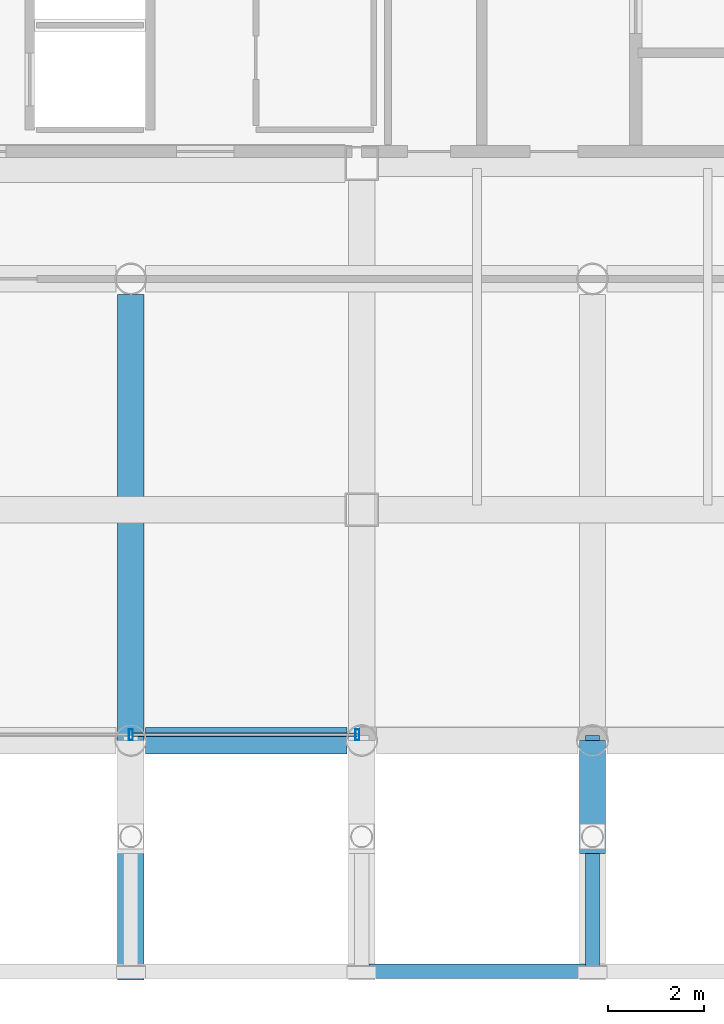
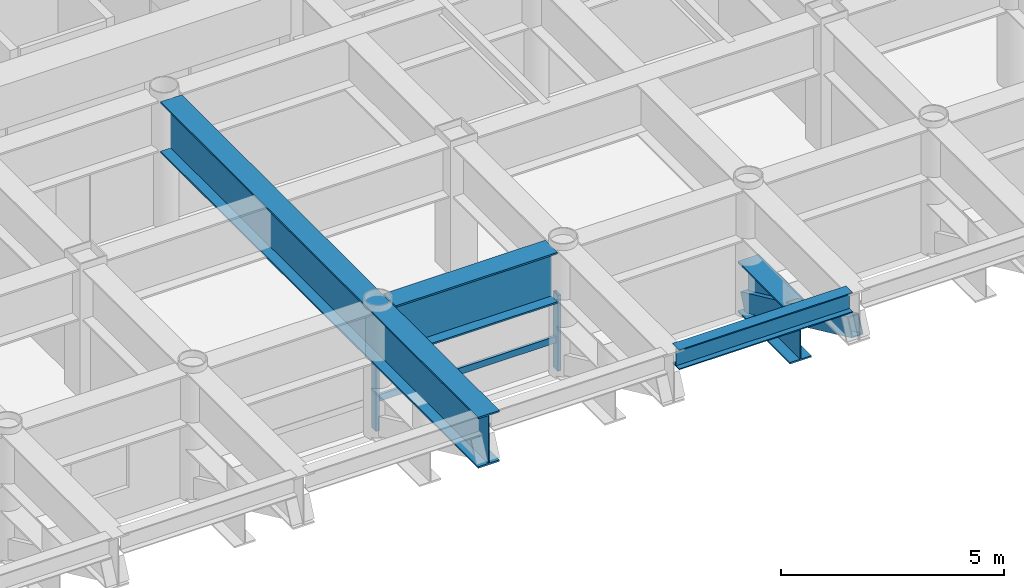
# One storey, part 8 of 24: 4 beams, 4 members, 1 element without a shape of its own.
"""IFC4 building model written with IfcOpenShell, lengths in metres."""

import ifcopenshell
import ifcopenshell.guid

model = None  # the IFC model being written
_history = None  # IfcOwnerHistory: only IFC2X3 demands one
_inside = {}  # id of a spatial element -> (the spatial element, [elements in it])
_under = {}  # id of a project, library or spatial element -> (it, [spatial elements below it])
_declared = {}  # id of a project -> (the project, [libraries it declares])
_typed = {}  # id of a type object -> (the type object, [elements of that type])
_made_of = {}  # id of a material, layer set ... -> (it, [elements and type objects made of it])


def new_model(schema):
    """Start an empty IFC model of exactly this schema.

    Asked for "IFC4X3", IfcOpenShell would pick the latest addendum, in which some entities
    have other attributes; the version numbers below select the first issue.
    IFC2X3 requires an IfcOwnerHistory on every rooted entity: one is made here for all.
    """
    global model, _history
    if schema == "IFC4X3":
        model = ifcopenshell.file(schema_version=(4, 3, 0, 0))
    else:
        model = ifcopenshell.file(schema=schema)
    _inside.clear()
    _under.clear()
    _declared.clear()
    _typed.clear()
    _made_of.clear()
    _history = None
    if model.schema == "IFC2X3":
        org = make("IfcOrganization", Name="unknown")
        user = make(
            "IfcPersonAndOrganization",
            ThePerson=make("IfcPerson", FamilyName="unknown"),
            TheOrganization=org,
        )
        app = make(
            "IfcApplication",
            ApplicationDeveloper=org,
            Version="unknown",
            ApplicationFullName="unknown",
            ApplicationIdentifier="unknown",
        )
        _history = make(
            "IfcOwnerHistory",
            OwningUser=user,
            OwningApplication=app,
            ChangeAction="ADDED",
            CreationDate=0,
        )
    return model


def make(cls, **values):
    """One entity of the class cls with the attributes given. An attribute that is None is left unset."""
    return model.create_entity(
        cls, **{name: value for name, value in values.items() if value is not None}
    )


def rooted(cls, **values):
    """An entity with a GlobalId (a new one), such as an element, a storey or a relation."""
    return make(cls, GlobalId=ifcopenshell.guid.new(), OwnerHistory=_history, **values)


def si_unit(unit_type, name, prefix=None):
    """IfcSIUnit, for example si_unit("LENGTHUNIT", "METRE", prefix="MILLI")."""
    return make("IfcSIUnit", UnitType=unit_type, Prefix=prefix, Name=name)


def assignment(units):
    """IfcUnitAssignment: the units of a project."""
    return None if units is None else make("IfcUnitAssignment", Units=units)


def point(xyz):
    """IfcCartesianPoint."""
    return None if xyz is None else make("IfcCartesianPoint", Coordinates=xyz)


def direction(xyz):
    """IfcDirection."""
    return None if xyz is None else make("IfcDirection", DirectionRatios=xyz)


def frame(location, z_axis=None, x_axis=None):
    """IfcAxis2Placement3D, a coordinate frame: its origin and axes. An axis left out is left unset."""
    return make(
        "IfcAxis2Placement3D",
        Location=point(location),
        Axis=direction(z_axis),
        RefDirection=direction(x_axis),
    )


def frame_2d(location, x_axis=None):
    """IfcAxis2Placement2D, a coordinate frame in the plane: its origin and x axis."""
    return make(
        "IfcAxis2Placement2D", Location=point(location), RefDirection=direction(x_axis)
    )


def origin():
    """The frame at (0, 0, 0) with its axes left unset."""
    return frame((0.0, 0.0, 0.0))


def origin_2d():
    """The frame at (0, 0) in the plane with its x axis left unset."""
    return frame_2d((0.0, 0.0))


def place(relative_to, where):
    """IfcLocalPlacement: puts the frame where relative to a parent placement (None: the world)."""
    return make(
        "IfcLocalPlacement", PlacementRelTo=relative_to, RelativePlacement=where
    )


def context(
    kind, dimensions, precision=None, world=None, true_north=None, identifier=None
):
    """IfcGeometricRepresentationContext, for example the 3D "Model" context."""
    return make(
        "IfcGeometricRepresentationContext",
        ContextIdentifier=identifier,
        ContextType=kind,
        CoordinateSpaceDimension=dimensions,
        Precision=precision,
        WorldCoordinateSystem=world,
        TrueNorth=true_north,
    )


def subcontext(parent, identifier, kind, view, scale=None):
    """IfcGeometricRepresentationSubContext, for example "Body" below "Model"."""
    return make(
        "IfcGeometricRepresentationSubContext",
        ContextIdentifier=identifier,
        ContextType=kind,
        ParentContext=parent,
        TargetScale=scale,
        TargetView=view,
    )


def project(units=None, contexts=None):
    """IfcProject with its units and contexts."""
    return rooted(
        "IfcProject",
        Name="project",
        RepresentationContexts=contexts,
        UnitsInContext=assignment(units),
    )


def spatial(cls, under=None, at=None, **own):
    """A site, building, storey or space (cls), placed at a placement, below another one or the project."""
    s = rooted(cls, ObjectPlacement=at, **own)
    if under is not None:
        _under.setdefault(under.id(), (under, []))[1].append(s)
    return s


def profile(cls, at=None, kind="AREA", **sizes):
    """A parametric profile (cls). Its sizes go by their IFC names, for example OverallWidth=200.0."""
    return make(cls, ProfileType=kind, Position=at, **sizes)


def hollow_rectangle(**sizes):
    """IfcRectangleHollowProfileDef."""
    return profile("IfcRectangleHollowProfileDef", **sizes)


def i_section(**sizes):
    """IfcIShapeProfileDef."""
    return profile("IfcIShapeProfileDef", **sizes)


def extrude(swept, where, along, depth):
    """IfcExtrudedAreaSolid: the profile swept, set in the frame where, extruded along a direction by depth."""
    return make(
        "IfcExtrudedAreaSolid",
        SweptArea=swept,
        Position=where,
        ExtrudedDirection=direction(along),
        Depth=depth,
    )


def shape(context_of_items, identifier, shape_type, items):
    """IfcShapeRepresentation: the items that make up one representation, for example the "Body"."""
    return make(
        "IfcShapeRepresentation",
        ContextOfItems=context_of_items,
        RepresentationIdentifier=identifier,
        RepresentationType=shape_type,
        Items=items,
    )


def material(Name=None, Category=None):
    """IfcMaterial."""
    return make("IfcMaterial", Name=Name, Category=Category)


def layer(
    of_material, thickness, ventilated=None, Name=None, Category=None, Priority=None
):
    """IfcMaterialLayer: one layer of a wall or slab, of a material (None: an air gap)."""
    return make(
        "IfcMaterialLayer",
        Material=of_material,
        LayerThickness=thickness,
        IsVentilated=ventilated,
        Name=Name,
        Category=Category,
        Priority=Priority,
    )


def layer_set(layers, Name=None):
    """IfcMaterialLayerSet."""
    return make("IfcMaterialLayerSet", MaterialLayers=layers, LayerSetName=Name)


def material_profile(
    of_material, cross_section, Name=None, Category=None, Priority=None
):
    """IfcMaterialProfile: a cross section and its material."""
    return make(
        "IfcMaterialProfile",
        Name=Name,
        Material=of_material,
        Profile=cross_section,
        Priority=Priority,
        Category=Category,
    )


def profile_set(profiles, Name=None, composite=None):
    """IfcMaterialProfileSet."""
    return make(
        "IfcMaterialProfileSet",
        Name=Name,
        MaterialProfiles=profiles,
        CompositeProfile=composite,
    )


def made_of(thing, what):
    """Note that an element or type object is made of a material, layer set ...; save() writes the relation."""
    if what is not None:
        _made_of.setdefault(what.id(), (what, []))[1].append(thing)
    return thing


def type_object(cls, material=None, **own):
    """A type object (cls), such as IfcWallType, which elements share."""
    return made_of(rooted(cls, **own), material)


def element(
    cls,
    number,
    at=None,
    inside=None,
    cuts=None,
    type_object=None,
    material=None,
    context=None,
    identifier="Body",
    shape_type=None,
    held_by="IfcProductDefinitionShape",
    body=None,
    shapes=None,
    **own,
):
    """One element of the class cls, such as IfcWall. Its Tag is "e" and its number.

    at: its placement. inside: the storey or other place that contains it. cuts: it is an
    opening in that element (IfcRelVoidsElement). A single representation is given by context,
    identifier, shape_type and body (its items); several are given by shapes. held_by: the class
    of the entity that holds the representations. save() writes the other relations.
    """
    e = rooted(cls, Tag="e%d" % number, ObjectPlacement=at, **own)
    if body is not None:
        shapes = [shape(context, identifier, shape_type, body)]
    if shapes is not None:
        e.Representation = make(held_by, Representations=shapes)
    if inside is not None:
        _inside.setdefault(inside.id(), (inside, []))[1].append(e)
    if cuts is not None:
        rooted(
            "IfcRelVoidsElement", RelatingBuildingElement=cuts, RelatedOpeningElement=e
        )
    if type_object is not None:
        _typed.setdefault(type_object.id(), (type_object, []))[1].append(e)
    return made_of(e, material)


def aggregate(whole, parts):
    """IfcRelAggregates: a whole, such as a stair, and the parts it consists of."""
    return rooted("IfcRelAggregates", RelatingObject=whole, RelatedObjects=parts)


def save(model, path):
    """Write the relations noted so far, then the file.

    IfcRelAggregates (storeys below a building ...), IfcRelContainedInSpatialStructure (elements
    in a storey), IfcRelDefinesByType, IfcRelAssociatesMaterial and IfcRelDeclares: one each for
    every whole, place, type object, material and project.
    """
    for whole, parts in _under.values():
        aggregate(whole, parts)
    for where, things in _inside.values():
        rooted(
            "IfcRelContainedInSpatialStructure",
            RelatedElements=things,
            RelatingStructure=where,
        )
    for kind, things in _typed.values():
        rooted("IfcRelDefinesByType", RelatedObjects=things, RelatingType=kind)
    for what, things in _made_of.values():
        rooted("IfcRelAssociatesMaterial", RelatedObjects=things, RelatingMaterial=what)
    for by, libraries in _declared.values():
        rooted("IfcRelDeclares", RelatingContext=by, RelatedDefinitions=libraries)
    model.write(path)


model = new_model("IFC4")

# Units and contexts
model_context = context("Model", 3, precision=1e-05, world=origin(), true_north=direction((0.0, 1.0)))
body_context = subcontext(model_context, "Body", "Model", "MODEL_VIEW")
ifc_project = project(units=[si_unit("LENGTHUNIT", "METRE"), si_unit("AREAUNIT", "SQUARE_METRE"), si_unit("VOLUMEUNIT", "CUBIC_METRE"), si_unit("PLANEANGLEUNIT", "RADIAN"), si_unit("MASSUNIT", "GRAM", prefix="KILO")], contexts=[model_context])

# Site, building, storey
site_placement = place(None, origin())
site = spatial("IfcSite", under=ifc_project, at=site_placement, CompositionType="ELEMENT")
building_placement = place(site_placement, origin())
building = spatial("IfcBuilding", under=site, at=building_placement, Name="Kallvorn Hotel Tower", CompositionType="ELEMENT")
storey_placement = place(building_placement, frame((0.0, 0.0, 150.699951171875)))
storey = spatial("IfcBuildingStorey", under=building, at=storey_placement, Name="L37", CompositionType="ELEMENT", Elevation=150.699951171875)

# Beams
ifc_material_1 = material(Name="Structural steel S355JR", Category="steel")
ifc_material_profile_1 = material_profile(ifc_material_1, i_section(OverallWidth=0.300048828125, OverallDepth=0.550048828125, WebThickness=0.014892578125, FlangeThickness=0.029052734375, at=origin_2d()), Name="HE 550 B")
ifc_profile_set_1 = profile_set([ifc_material_profile_1], Name="Structural steel S355JR")
beam_type_1 = type_object("IfcBeamType", Name="BM_HE550B", PredefinedType="SPANDREL", material=ifc_profile_set_1)
beam_1_placement = place(storey_placement, frame((4.949951171875, -24.0, 3.2451171875), z_axis=(1.0, 0.0, 0.0), x_axis=(0.0, 1.0, 0.0)))
element("IfcBeam", 1, at=beam_1_placement, inside=storey, type_object=beam_type_1, Name="L38 Perimeter Spandrel 171", PredefinedType="SPANDREL", context=body_context, shape_type="SweptSolid", body=[
    extrude(i_section(OverallWidth=0.300048828125, OverallDepth=0.550048828125, WebThickness=0.014892578125, FlangeThickness=0.029052734375, at=origin_2d()), origin(), (0.0, 0.0, 1.0), 4.5),
])
ifc_material_2 = material(Name="Structural steel S355JR", Category="steel")
ifc_material_profile_2 = material_profile(ifc_material_2, i_section(OverallWidth=0.550048828125, OverallDepth=1.39990234375, WebThickness=0.02490234375, FlangeThickness=0.044921875, at=origin_2d()), Name="PG 1400x550x25x45")
ifc_profile_set_2 = profile_set([ifc_material_profile_2], Name="Structural steel S355JR")
beam_type_2 = type_object("IfcBeamType", Name="BM_PG_1400", PredefinedType="BEAM", material=ifc_profile_set_2)
beam_2_placement = place(storey_placement, frame((0.0, -9.919921875, 2.820068359375), z_axis=(0.0, -1.0, 0.0), x_axis=(1.0, 0.0, 0.0)))
element("IfcBeam", 2, at=beam_2_placement, inside=storey, type_object=beam_type_2, Name="L38 Continuous Cantilever Transfer Girder 08", PredefinedType="BEAM", context=body_context, shape_type="SweptSolid", body=[
    extrude(i_section(OverallWidth=0.550048828125, OverallDepth=1.39990234375, WebThickness=0.02490234375, FlangeThickness=0.044921875, at=origin_2d()), origin(), (0.0, 0.0, 1.0), 14.260009765625),
])
beam_3_placement = place(storey_placement, frame((9.60009765625, -19.199951171875, 0.719970703125), z_axis=(0.0, -1.0, 0.0), x_axis=(1.0, 0.0, 0.0)))
element("IfcBeam", 3, at=beam_3_placement, inside=storey, type_object=beam_type_2, Name="L38 Cantilever Haunch Corbel 10", PredefinedType="BEAM", context=body_context, shape_type="SweptSolid", body=[
    extrude(i_section(OverallWidth=0.550048828125, OverallDepth=1.39990234375, WebThickness=0.02490234375, FlangeThickness=0.044921875, at=origin_2d()), origin(), (0.0, 0.0, 1.0), 2.35009765625),
])
beam_4_placement = place(storey_placement, frame((0.304931640625, -19.199951171875, 2.820068359375), z_axis=(1.0, 0.0, 0.0), x_axis=(0.0, 1.0, 0.0)))
element("IfcBeam", 4, at=beam_4_placement, inside=storey, type_object=beam_type_2, Name="L38 Primary X-Girder 20", PredefinedType="BEAM", context=body_context, shape_type="SweptSolid", body=[
    extrude(i_section(OverallWidth=0.550048828125, OverallDepth=1.39990234375, WebThickness=0.02490234375, FlangeThickness=0.044921875, at=origin_2d()), origin(), (0.0, 0.0, 1.0), 4.190185546875),
])

# Curtain wall, members
ifc_material_3 = material(Name="Thermally broken black-anodised aluminium AA 6063-T6", Category="aluminium")
ifc_layer = layer(ifc_material_3, 0.2099609375)
ifc_layer_set = layer_set([ifc_layer], Name="CW_SYS_4_HOTEL_MID")
curtain_wall_type = type_object("IfcCurtainWallType", Name="CW_SYS_4_HOTEL_MID", PredefinedType="USERDEFINED", material=ifc_layer_set)
curtain_wall_placement = place(storey_placement, origin())
curtain_wall = element("IfcCurtainWall", 5, at=curtain_wall_placement, inside=storey, type_object=curtain_wall_type, Name="L37 Dark-Glass Curtain Wall CW-L37-SC", ObjectType="UNITISED CURTAIN WALL", PredefinedType="USERDEFINED")
ifc_material_4 = material(Name="Thermally broken black-anodised aluminium AA 6063-T6", Category="aluminium")
ifc_material_profile_3 = material_profile(ifc_material_4, hollow_rectangle(XDim=0.080078125, YDim=0.219970703125, WallThickness=0.0048828125, at=origin_2d()), Name="MUL 220x80")
ifc_profile_set_3 = profile_set([ifc_material_profile_3], Name="Thermally broken black-anodised aluminium AA 6063-T6")
member_type_1 = type_object("IfcMemberType", Name="CW_MULLION_220x80", PredefinedType="MULLION", material=ifc_profile_set_3)
member_1_placement = place(storey_placement, frame((0.0, -19.080078125, 0.02001953125), z_axis=(0.0, 0.0, 1.0), x_axis=(1.0, 0.0, 0.0)))
member_1 = element("IfcMember", 6, at=member_1_placement, type_object=member_type_1, Name="CW-L37-SC Mullion 01", PredefinedType="MULLION", context=body_context, shape_type="SweptSolid", body=[
    extrude(hollow_rectangle(XDim=0.080078125, YDim=0.219970703125, WallThickness=0.0048828125, at=origin_2d()), origin(), (0.0, 0.0, 1.0), 2.080078125),
])
member_2_placement = place(storey_placement, frame((4.7099609375, -19.080078125, 0.02001953125), z_axis=(0.0, 0.0, 1.0), x_axis=(1.0, 0.0, 0.0)))
member_2 = element("IfcMember", 7, at=member_2_placement, type_object=member_type_1, Name="CW-L37-SC Mullion 02", PredefinedType="MULLION", context=body_context, shape_type="SweptSolid", body=[
    extrude(hollow_rectangle(XDim=0.080078125, YDim=0.219970703125, WallThickness=0.0048828125, at=origin_2d()), origin(), (0.0, 0.0, 1.0), 2.080078125),
])
ifc_material_5 = material(Name="Thermally broken black-anodised aluminium AA 6063-T6", Category="aluminium")
ifc_material_profile_4 = material_profile(ifc_material_5, hollow_rectangle(XDim=0.070068359375, YDim=0.179931640625, WallThickness=0.00390625, at=origin_2d()), Name="TRN 180x70")
ifc_profile_set_4 = profile_set([ifc_material_profile_4], Name="Thermally broken black-anodised aluminium AA 6063-T6")
member_type_2 = type_object("IfcMemberType", Name="CW_TRANSOM_180x70", PredefinedType="USERDEFINED", material=ifc_profile_set_4)
member_3_placement = place(storey_placement, frame((0.0400390625, -19.080078125, 0.85009765625), z_axis=(1.0, 0.0, 0.0), x_axis=(0.0, 1.0, 0.0)))
member_3 = element("IfcMember", 8, at=member_3_placement, type_object=member_type_2, Name="CW-L37-SC Transom 01M", ObjectType="TRANSOM", PredefinedType="USERDEFINED", context=body_context, shape_type="SweptSolid", body=[
    extrude(hollow_rectangle(XDim=0.070068359375, YDim=0.179931640625, WallThickness=0.00390625, at=origin_2d()), origin(), (0.0, 0.0, 1.0), 4.669921875),
])
aggregate(curtain_wall, [member_1, member_2, member_3])

# Member
ifc_material_6 = material(Name="Structural steel S355J2H", Category="steel")
ifc_material_profile_5 = material_profile(ifc_material_6, hollow_rectangle(XDim=0.300048828125, YDim=0.5, WallThickness=0.02490234375, at=origin_2d()), Name="RHS 500x300x25")
ifc_profile_set_5 = profile_set([ifc_material_profile_5], Name="Structural steel S355J2H")
member_type_3 = type_object("IfcMemberType", Name="MBR_OUTRIGGER_RHS500", PredefinedType="BRACE", material=ifc_profile_set_5)
member_4_placement = place(storey_placement, frame((9.60009765625, -19.199951171875, 0.25), z_axis=(0.0, -0.907630778312, 0.419769425115), x_axis=(1.0, 0.0, 0.0)))
element("IfcMember", 9, at=member_4_placement, inside=storey, type_object=member_type_3, Name="L38 Exoskeleton Cantilever Raking Strut 10", PredefinedType="BRACE", context=body_context, shape_type="SweptSolid", body=[
    extrude(hollow_rectangle(XDim=0.300048828125, YDim=0.5, WallThickness=0.02490234375, at=origin_2d()), origin(), (0.0, 0.0, 1.0), 5.28857421875),
])

save(model, "model.ifc")
